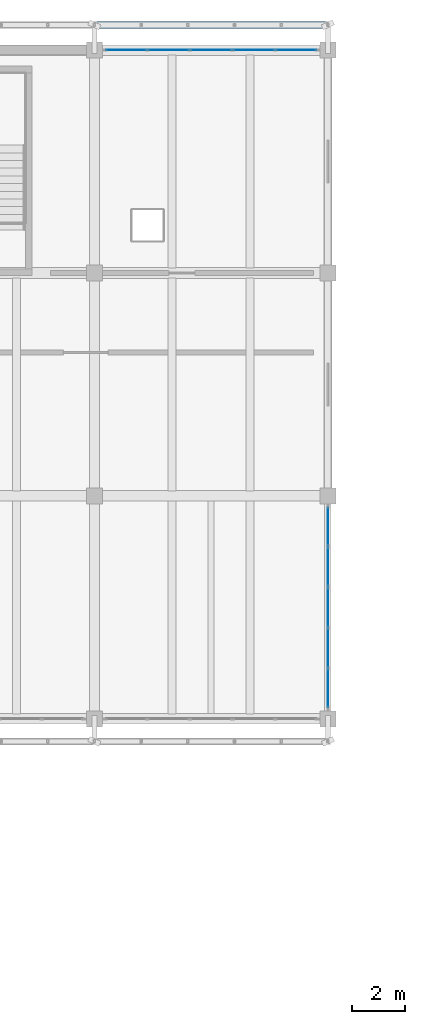
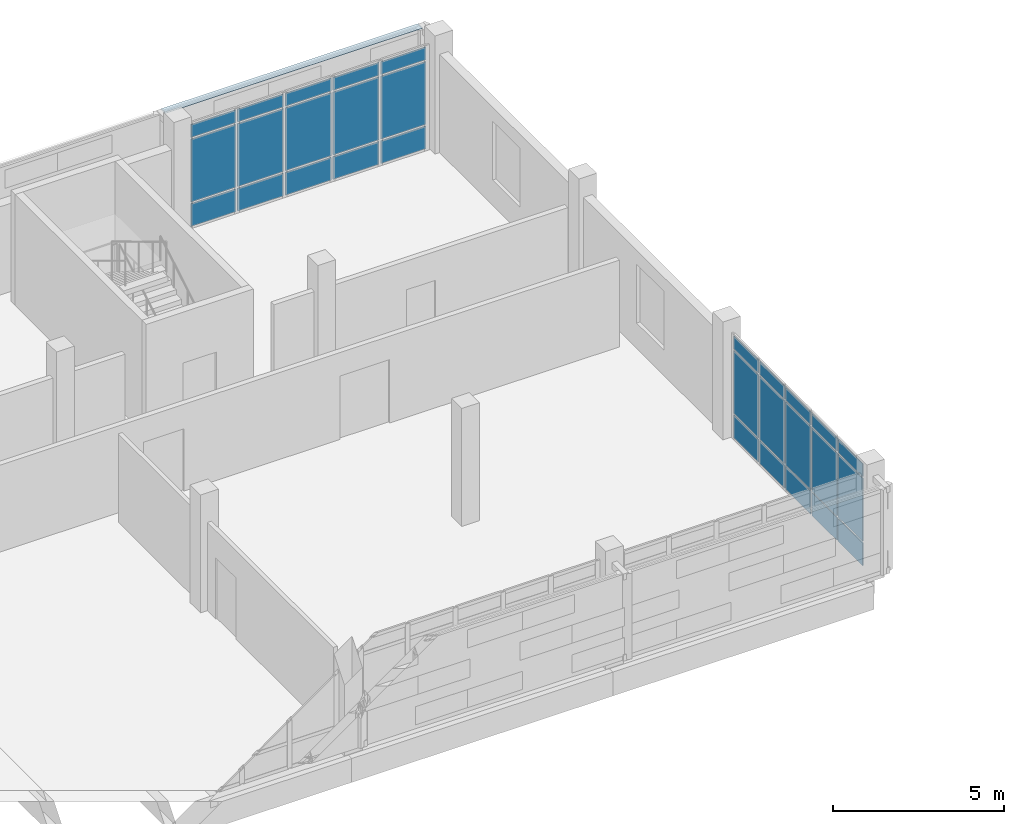
# One storey, part 104 of 137: 31 plates, 2 elements without a shape of their own.
"""IFC4 building model written with IfcOpenShell, lengths in metres."""

from ifc_helpers import new_model, si_unit, direction, frame, origin, origin_2d, place, context, subcontext, project, spatial, rectangle, extrude, material, layer, layer_set, type_object, element, aggregate, save


model = new_model("IFC4")

# Units and contexts
model_context = context("Model", 3, precision=1e-05, world=origin(), true_north=direction((0.0, 1.0)))
body_context = subcontext(model_context, "Body", "Model", "MODEL_VIEW")
ifc_project = project(units=[si_unit("LENGTHUNIT", "METRE"), si_unit("AREAUNIT", "SQUARE_METRE"), si_unit("VOLUMEUNIT", "CUBIC_METRE"), si_unit("PLANEANGLEUNIT", "RADIAN"), si_unit("MASSUNIT", "GRAM", prefix="KILO")], contexts=[model_context])

# Site, building, storey
site_placement = place(None, origin())
site = spatial("IfcSite", under=ifc_project, at=site_placement, CompositionType="ELEMENT")
building_placement = place(site_placement, origin())
building = spatial("IfcBuilding", under=site, at=building_placement, Name="Cinderway Yard Community Centre", CompositionType="ELEMENT")
storey_placement = place(building_placement, frame((0.0, 0.0, 4.800048828125)))
storey = spatial("IfcBuildingStorey", under=building, at=storey_placement, Name="L01", CompositionType="ELEMENT", Elevation=4.800048828125)

# Curtain wall, plates
ifc_material_1 = material(Name="Aluminium 6063-T6", Category="aluminium")
curtain_wall_type_1 = type_object("IfcCurtainWallType", Name="ENV-CW-TYPE-27", PredefinedType="USERDEFINED", material=ifc_material_1)
curtain_wall_1_placement = place(storey_placement, origin())
curtain_wall_1 = element("IfcCurtainWall", 1, at=curtain_wall_1_placement, inside=storey, type_object=curtain_wall_type_1, Name="V4 Street Curtain Wall ENV-CW-L01-ST-0138", ObjectType="GLAZED CURTAIN WALL", PredefinedType="USERDEFINED")
ifc_material_2 = material(Name="Laminated Low-E Glass", Category="glass")
ifc_layer_1 = layer(ifc_material_2, 0.028076171875, Name="Laminated Low-E Glass")
ifc_layer_set_1 = layer_set([ifc_layer_1], Name="Laminated Low-E Glass")
plate_type_1 = type_object("IfcPlateType", Name="ENV-CW-PAN-IGU28", PredefinedType="CURTAIN_PANEL", material=ifc_layer_set_1)
plate_1_placement = place(storey_placement, frame((137.9990234375, 115.199951171875, 0.059814453125), z_axis=(0.0, 0.0, 1.0), x_axis=(1.0, 0.0, 0.0)))
plate_1 = element("IfcPlate", 2, at=plate_1_placement, type_object=plate_type_1, Name="CW-27 panel 1.1", PredefinedType="CURTAIN_PANEL", context=body_context, shape_type="SweptSolid", body=[
    extrude(rectangle(XDim=1.51806640625, YDim=0.028076171875, at=origin_2d()), origin(), (0.0, 0.0, 1.0), 0.81005859375),
])
plate_2_placement = place(storey_placement, frame((137.9990234375, 115.199951171875, 0.93017578125), z_axis=(0.0, 0.0, 1.0), x_axis=(1.0, 0.0, 0.0)))
plate_2 = element("IfcPlate", 3, at=plate_2_placement, type_object=plate_type_1, Name="CW-27 panel 1.2", PredefinedType="CURTAIN_PANEL", context=body_context, shape_type="SweptSolid", body=[
    extrude(rectangle(XDim=1.51806640625, YDim=0.028076171875, at=origin_2d()), origin(), (0.0, 0.0, 1.0), 2.239990234375),
])
plate_3_placement = place(storey_placement, frame((137.9990234375, 115.199951171875, 3.22998046875), z_axis=(0.0, 0.0, 1.0), x_axis=(1.0, 0.0, 0.0)))
plate_3 = element("IfcPlate", 4, at=plate_3_placement, type_object=plate_type_1, Name="CW-27 panel 1.3", PredefinedType="CURTAIN_PANEL", context=body_context, shape_type="SweptSolid", body=[
    extrude(rectangle(XDim=1.51806640625, YDim=0.028076171875, at=origin_2d()), origin(), (0.0, 0.0, 1.0), 0.4599609375),
])
plate_4_placement = place(storey_placement, frame((139.592041015625, 115.199951171875, 0.059814453125), z_axis=(0.0, 0.0, 1.0), x_axis=(1.0, 0.0, 0.0)))
plate_4 = element("IfcPlate", 5, at=plate_4_placement, type_object=plate_type_1, Name="CW-27 panel 2.1", PredefinedType="CURTAIN_PANEL", context=body_context, shape_type="SweptSolid", body=[
    extrude(rectangle(XDim=1.548095703125, YDim=0.028076171875, at=origin_2d()), origin(), (0.0, 0.0, 1.0), 0.81005859375),
])
plate_5_placement = place(storey_placement, frame((139.592041015625, 115.199951171875, 0.93017578125), z_axis=(0.0, 0.0, 1.0), x_axis=(1.0, 0.0, 0.0)))
plate_5 = element("IfcPlate", 6, at=plate_5_placement, type_object=plate_type_1, Name="CW-27 panel 2.2", PredefinedType="CURTAIN_PANEL", context=body_context, shape_type="SweptSolid", body=[
    extrude(rectangle(XDim=1.548095703125, YDim=0.028076171875, at=origin_2d()), origin(), (0.0, 0.0, 1.0), 2.239990234375),
])
plate_6_placement = place(storey_placement, frame((139.592041015625, 115.199951171875, 3.22998046875), z_axis=(0.0, 0.0, 1.0), x_axis=(1.0, 0.0, 0.0)))
plate_6 = element("IfcPlate", 7, at=plate_6_placement, type_object=plate_type_1, Name="CW-27 panel 2.3", PredefinedType="CURTAIN_PANEL", context=body_context, shape_type="SweptSolid", body=[
    extrude(rectangle(XDim=1.548095703125, YDim=0.028076171875, at=origin_2d()), origin(), (0.0, 0.0, 1.0), 0.4599609375),
])
plate_7_placement = place(storey_placement, frame((141.199951171875, 115.199951171875, 0.059814453125), z_axis=(0.0, 0.0, 1.0), x_axis=(1.0, 0.0, 0.0)))
plate_7 = element("IfcPlate", 8, at=plate_7_placement, type_object=plate_type_1, Name="CW-27 panel 3.1", PredefinedType="CURTAIN_PANEL", context=body_context, shape_type="SweptSolid", body=[
    extrude(rectangle(XDim=1.548095703125, YDim=0.028076171875, at=origin_2d()), origin(), (0.0, 0.0, 1.0), 0.81005859375),
])
plate_8_placement = place(storey_placement, frame((141.199951171875, 115.199951171875, 0.93017578125), z_axis=(0.0, 0.0, 1.0), x_axis=(1.0, 0.0, 0.0)))
plate_8 = element("IfcPlate", 9, at=plate_8_placement, type_object=plate_type_1, Name="CW-27 panel 3.2", PredefinedType="CURTAIN_PANEL", context=body_context, shape_type="SweptSolid", body=[
    extrude(rectangle(XDim=1.548095703125, YDim=0.028076171875, at=origin_2d()), origin(), (0.0, 0.0, 1.0), 2.239990234375),
])
plate_9_placement = place(storey_placement, frame((141.199951171875, 115.199951171875, 3.22998046875), z_axis=(0.0, 0.0, 1.0), x_axis=(1.0, 0.0, 0.0)))
plate_9 = element("IfcPlate", 10, at=plate_9_placement, type_object=plate_type_1, Name="CW-27 panel 3.3", PredefinedType="CURTAIN_PANEL", context=body_context, shape_type="SweptSolid", body=[
    extrude(rectangle(XDim=1.548095703125, YDim=0.028076171875, at=origin_2d()), origin(), (0.0, 0.0, 1.0), 0.4599609375),
])
plate_10_placement = place(storey_placement, frame((142.80810546875, 115.199951171875, 0.059814453125), z_axis=(0.0, 0.0, 1.0), x_axis=(1.0, 0.0, 0.0)))
plate_10 = element("IfcPlate", 11, at=plate_10_placement, type_object=plate_type_1, Name="CW-27 panel 4.1", PredefinedType="CURTAIN_PANEL", context=body_context, shape_type="SweptSolid", body=[
    extrude(rectangle(XDim=1.548095703125, YDim=0.028076171875, at=origin_2d()), origin(), (0.0, 0.0, 1.0), 0.81005859375),
])
plate_11_placement = place(storey_placement, frame((142.80810546875, 115.199951171875, 0.93017578125), z_axis=(0.0, 0.0, 1.0), x_axis=(1.0, 0.0, 0.0)))
plate_11 = element("IfcPlate", 12, at=plate_11_placement, type_object=plate_type_1, Name="CW-27 panel 4.2", PredefinedType="CURTAIN_PANEL", context=body_context, shape_type="SweptSolid", body=[
    extrude(rectangle(XDim=1.548095703125, YDim=0.028076171875, at=origin_2d()), origin(), (0.0, 0.0, 1.0), 2.239990234375),
])
plate_12_placement = place(storey_placement, frame((142.80810546875, 115.199951171875, 3.22998046875), z_axis=(0.0, 0.0, 1.0), x_axis=(1.0, 0.0, 0.0)))
plate_12 = element("IfcPlate", 13, at=plate_12_placement, type_object=plate_type_1, Name="CW-27 panel 4.3", PredefinedType="CURTAIN_PANEL", context=body_context, shape_type="SweptSolid", body=[
    extrude(rectangle(XDim=1.548095703125, YDim=0.028076171875, at=origin_2d()), origin(), (0.0, 0.0, 1.0), 0.4599609375),
])
plate_13_placement = place(storey_placement, frame((144.40087890625, 115.199951171875, 0.059814453125), z_axis=(0.0, 0.0, 1.0), x_axis=(1.0, 0.0, 0.0)))
plate_13 = element("IfcPlate", 14, at=plate_13_placement, type_object=plate_type_1, Name="CW-27 panel 5.1", PredefinedType="CURTAIN_PANEL", context=body_context, shape_type="SweptSolid", body=[
    extrude(rectangle(XDim=1.51806640625, YDim=0.028076171875, at=origin_2d()), origin(), (0.0, 0.0, 1.0), 0.81005859375),
])
plate_14_placement = place(storey_placement, frame((144.40087890625, 115.199951171875, 0.93017578125), z_axis=(0.0, 0.0, 1.0), x_axis=(1.0, 0.0, 0.0)))
plate_14 = element("IfcPlate", 15, at=plate_14_placement, type_object=plate_type_1, Name="CW-27 panel 5.2", PredefinedType="CURTAIN_PANEL", context=body_context, shape_type="SweptSolid", body=[
    extrude(rectangle(XDim=1.51806640625, YDim=0.028076171875, at=origin_2d()), origin(), (0.0, 0.0, 1.0), 2.239990234375),
])
plate_15_placement = place(storey_placement, frame((144.40087890625, 115.199951171875, 3.22998046875), z_axis=(0.0, 0.0, 1.0), x_axis=(1.0, 0.0, 0.0)))
plate_15 = element("IfcPlate", 16, at=plate_15_placement, type_object=plate_type_1, Name="CW-27 panel 5.3", PredefinedType="CURTAIN_PANEL", context=body_context, shape_type="SweptSolid", body=[
    extrude(rectangle(XDim=1.51806640625, YDim=0.028076171875, at=origin_2d()), origin(), (0.0, 0.0, 1.0), 0.4599609375),
])
aggregate(curtain_wall_1, [plate_1, plate_2, plate_3, plate_4, plate_5, plate_6, plate_7, plate_8, plate_9, plate_10, plate_11, plate_12, plate_13, plate_14, plate_15])

curtain_wall_type_2 = type_object("IfcCurtainWallType", Name="ENV-CW-TYPE-26", PredefinedType="USERDEFINED", material=ifc_material_1)
curtain_wall_2_placement = place(storey_placement, origin())
curtain_wall_2 = element("IfcCurtainWall", 17, at=curtain_wall_2_placement, inside=storey, type_object=curtain_wall_type_2, Name="V4 East End Curtain Wall ENV-CW-L01-ST-0141", ObjectType="GLAZED CURTAIN WALL", PredefinedType="USERDEFINED")
plate_16_placement = place(storey_placement, frame((145.60009765625, 91.158935546875, 0.059814453125), z_axis=(0.0, 0.0, 1.0), x_axis=(0.0, 1.0, 0.0)))
plate_16 = element("IfcPlate", 18, at=plate_16_placement, type_object=plate_type_1, Name="CW-26 panel 1.1", PredefinedType="CURTAIN_PANEL", context=body_context, shape_type="SweptSolid", body=[
    extrude(rectangle(XDim=1.43798828125, YDim=0.028076171875, at=origin_2d()), origin(), (0.0, 0.0, 1.0), 0.81005859375),
])
plate_17_placement = place(storey_placement, frame((145.60009765625, 91.158935546875, 0.93017578125), z_axis=(0.0, 0.0, 1.0), x_axis=(0.0, 1.0, 0.0)))
plate_17 = element("IfcPlate", 19, at=plate_17_placement, type_object=plate_type_1, Name="CW-26 panel 1.2", PredefinedType="CURTAIN_PANEL", context=body_context, shape_type="SweptSolid", body=[
    extrude(rectangle(XDim=1.43798828125, YDim=0.028076171875, at=origin_2d()), origin(), (0.0, 0.0, 1.0), 2.239990234375),
])
plate_18_placement = place(storey_placement, frame((145.60009765625, 91.158935546875, 3.22998046875), z_axis=(0.0, 0.0, 1.0), x_axis=(0.0, 1.0, 0.0)))
plate_18 = element("IfcPlate", 20, at=plate_18_placement, type_object=plate_type_1, Name="CW-26 panel 1.3", PredefinedType="CURTAIN_PANEL", context=body_context, shape_type="SweptSolid", body=[
    extrude(rectangle(XDim=1.43798828125, YDim=0.028076171875, at=origin_2d()), origin(), (0.0, 0.0, 1.0), 0.4599609375),
])
plate_19_placement = place(storey_placement, frame((145.60009765625, 92.672119140625, 0.059814453125), z_axis=(0.0, 0.0, 1.0), x_axis=(0.0, 1.0, 0.0)))
plate_19 = element("IfcPlate", 21, at=plate_19_placement, type_object=plate_type_1, Name="CW-26 panel 2.1", PredefinedType="CURTAIN_PANEL", context=body_context, shape_type="SweptSolid", body=[
    extrude(rectangle(XDim=1.468017578125, YDim=0.028076171875, at=origin_2d()), origin(), (0.0, 0.0, 1.0), 0.81005859375),
])
plate_20_placement = place(storey_placement, frame((145.60009765625, 92.672119140625, 0.93017578125), z_axis=(0.0, 0.0, 1.0), x_axis=(0.0, 1.0, 0.0)))
plate_20 = element("IfcPlate", 22, at=plate_20_placement, type_object=plate_type_1, Name="CW-26 panel 2.2", PredefinedType="CURTAIN_PANEL", context=body_context, shape_type="SweptSolid", body=[
    extrude(rectangle(XDim=1.468017578125, YDim=0.028076171875, at=origin_2d()), origin(), (0.0, 0.0, 1.0), 2.239990234375),
])
plate_21_placement = place(storey_placement, frame((145.60009765625, 92.672119140625, 3.22998046875), z_axis=(0.0, 0.0, 1.0), x_axis=(0.0, 1.0, 0.0)))
plate_21 = element("IfcPlate", 23, at=plate_21_placement, type_object=plate_type_1, Name="CW-26 panel 2.3", PredefinedType="CURTAIN_PANEL", context=body_context, shape_type="SweptSolid", body=[
    extrude(rectangle(XDim=1.468017578125, YDim=0.028076171875, at=origin_2d()), origin(), (0.0, 0.0, 1.0), 0.4599609375),
])
plate_22_placement = place(storey_placement, frame((145.60009765625, 94.199951171875, 0.059814453125), z_axis=(0.0, 0.0, 1.0), x_axis=(0.0, 1.0, 0.0)))
plate_22 = element("IfcPlate", 24, at=plate_22_placement, type_object=plate_type_1, Name="CW-26 panel 3.1", PredefinedType="CURTAIN_PANEL", context=body_context, shape_type="SweptSolid", body=[
    extrude(rectangle(XDim=1.468017578125, YDim=0.028076171875, at=origin_2d()), origin(), (0.0, 0.0, 1.0), 0.81005859375),
])
plate_23_placement = place(storey_placement, frame((145.60009765625, 94.199951171875, 0.93017578125), z_axis=(0.0, 0.0, 1.0), x_axis=(0.0, 1.0, 0.0)))
plate_23 = element("IfcPlate", 25, at=plate_23_placement, type_object=plate_type_1, Name="CW-26 panel 3.2", PredefinedType="CURTAIN_PANEL", context=body_context, shape_type="SweptSolid", body=[
    extrude(rectangle(XDim=1.468017578125, YDim=0.028076171875, at=origin_2d()), origin(), (0.0, 0.0, 1.0), 2.239990234375),
])
plate_24_placement = place(storey_placement, frame((145.60009765625, 94.199951171875, 3.22998046875), z_axis=(0.0, 0.0, 1.0), x_axis=(0.0, 1.0, 0.0)))
plate_24 = element("IfcPlate", 26, at=plate_24_placement, type_object=plate_type_1, Name="CW-26 panel 3.3", PredefinedType="CURTAIN_PANEL", context=body_context, shape_type="SweptSolid", body=[
    extrude(rectangle(XDim=1.468017578125, YDim=0.028076171875, at=origin_2d()), origin(), (0.0, 0.0, 1.0), 0.4599609375),
])
plate_25_placement = place(storey_placement, frame((145.60009765625, 95.72802734375, 0.059814453125), z_axis=(0.0, 0.0, 1.0), x_axis=(0.0, 1.0, 0.0)))
plate_25 = element("IfcPlate", 27, at=plate_25_placement, type_object=plate_type_1, Name="CW-26 panel 4.1", PredefinedType="CURTAIN_PANEL", context=body_context, shape_type="SweptSolid", body=[
    extrude(rectangle(XDim=1.468017578125, YDim=0.028076171875, at=origin_2d()), origin(), (0.0, 0.0, 1.0), 0.81005859375),
])
plate_26_placement = place(storey_placement, frame((145.60009765625, 95.72802734375, 0.93017578125), z_axis=(0.0, 0.0, 1.0), x_axis=(0.0, 1.0, 0.0)))
plate_26 = element("IfcPlate", 28, at=plate_26_placement, type_object=plate_type_1, Name="CW-26 panel 4.2", PredefinedType="CURTAIN_PANEL", context=body_context, shape_type="SweptSolid", body=[
    extrude(rectangle(XDim=1.468017578125, YDim=0.028076171875, at=origin_2d()), origin(), (0.0, 0.0, 1.0), 2.239990234375),
])
plate_27_placement = place(storey_placement, frame((145.60009765625, 95.72802734375, 3.22998046875), z_axis=(0.0, 0.0, 1.0), x_axis=(0.0, 1.0, 0.0)))
plate_27 = element("IfcPlate", 29, at=plate_27_placement, type_object=plate_type_1, Name="CW-26 panel 4.3", PredefinedType="CURTAIN_PANEL", context=body_context, shape_type="SweptSolid", body=[
    extrude(rectangle(XDim=1.468017578125, YDim=0.028076171875, at=origin_2d()), origin(), (0.0, 0.0, 1.0), 0.4599609375),
])
plate_28_placement = place(storey_placement, frame((145.60009765625, 97.240966796875, 0.059814453125), z_axis=(0.0, 0.0, 1.0), x_axis=(0.0, 1.0, 0.0)))
plate_28 = element("IfcPlate", 30, at=plate_28_placement, type_object=plate_type_1, Name="CW-26 panel 5.1", PredefinedType="CURTAIN_PANEL", context=body_context, shape_type="SweptSolid", body=[
    extrude(rectangle(XDim=1.43798828125, YDim=0.028076171875, at=origin_2d()), origin(), (0.0, 0.0, 1.0), 0.81005859375),
])
plate_29_placement = place(storey_placement, frame((145.60009765625, 97.240966796875, 0.93017578125), z_axis=(0.0, 0.0, 1.0), x_axis=(0.0, 1.0, 0.0)))
plate_29 = element("IfcPlate", 31, at=plate_29_placement, type_object=plate_type_1, Name="CW-26 panel 5.2", PredefinedType="CURTAIN_PANEL", context=body_context, shape_type="SweptSolid", body=[
    extrude(rectangle(XDim=1.43798828125, YDim=0.028076171875, at=origin_2d()), origin(), (0.0, 0.0, 1.0), 2.239990234375),
])
plate_30_placement = place(storey_placement, frame((145.60009765625, 97.240966796875, 3.22998046875), z_axis=(0.0, 0.0, 1.0), x_axis=(0.0, 1.0, 0.0)))
plate_30 = element("IfcPlate", 32, at=plate_30_placement, type_object=plate_type_1, Name="CW-26 panel 5.3", PredefinedType="CURTAIN_PANEL", context=body_context, shape_type="SweptSolid", body=[
    extrude(rectangle(XDim=1.43798828125, YDim=0.028076171875, at=origin_2d()), origin(), (0.0, 0.0, 1.0), 0.4599609375),
])
aggregate(curtain_wall_2, [plate_16, plate_17, plate_18, plate_19, plate_20, plate_21, plate_22, plate_23, plate_24, plate_25, plate_26, plate_27, plate_28, plate_29, plate_30])

# Plate
ifc_layer_2 = layer(ifc_material_1, 0.01611328125, Name="Aluminium 6063-T6")
ifc_layer_set_2 = layer_set([ifc_layer_2], Name="Aluminium 6063-T6")
plate_type_2 = type_object("IfcPlateType", Name="ENV-PLT-FASCIA16", PredefinedType="USERDEFINED", material=ifc_layer_set_2)
plate_31_placement = place(storey_placement, frame((141.199951171875, 116.14990234375, 3.7119140625), z_axis=(0.0, 0.0, 1.0), x_axis=(1.0, 0.0, 0.0)))
element("IfcPlate", 33, at=plate_31_placement, inside=storey, type_object=plate_type_2, Name="Screen coping fascia 0012", ObjectType="FASCIA PLATE", PredefinedType="USERDEFINED", context=body_context, shape_type="SweptSolid", body=[
    extrude(rectangle(XDim=8.699951171875, YDim=0.260009765625, at=origin_2d()), origin(), (0.0, 0.0, 1.0), 0.01611328125),
])

save(model, "model.ifc")
